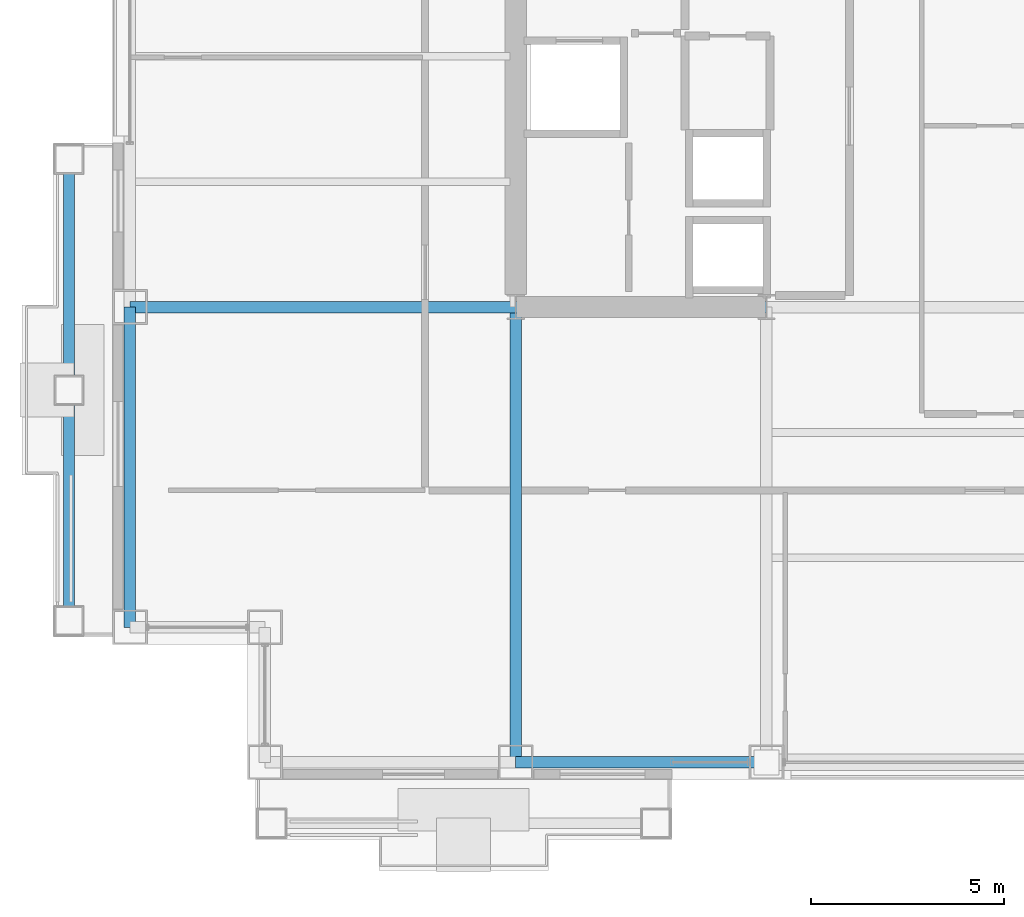
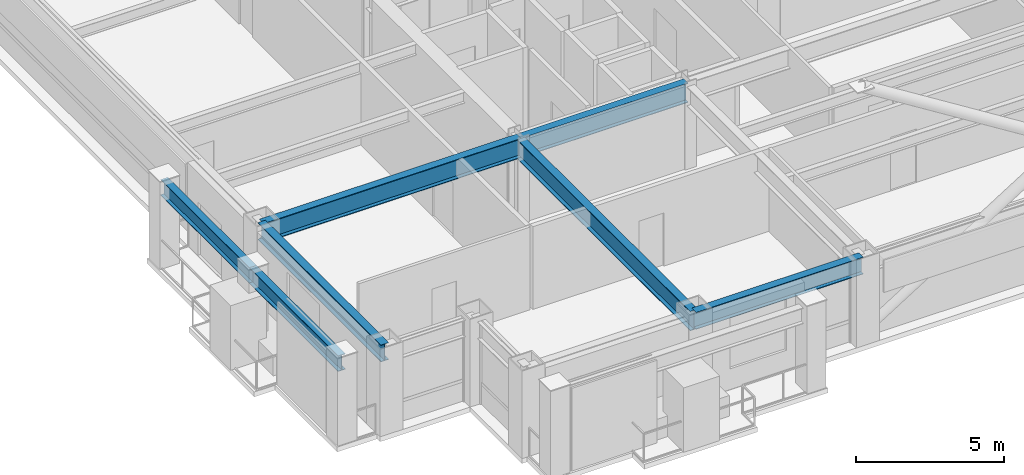
# One storey, part 3 of 30: 7 beams.
"""IFC4 building model written with IfcOpenShell, lengths in metres."""

from ifc_helpers import new_model, si_unit, direction, frame, origin, origin_2d, place, context, subcontext, project, spatial, i_section, extrude, material, material_profile, profile_set, type_object, element, save


model = new_model("IFC4")

# Units and contexts
model_context = context("Model", 3, precision=1e-05, world=origin(), true_north=direction((0.0, 1.0)))
body_context = subcontext(model_context, "Body", "Model", "MODEL_VIEW")
ifc_project = project(units=[si_unit("LENGTHUNIT", "METRE"), si_unit("AREAUNIT", "SQUARE_METRE"), si_unit("VOLUMEUNIT", "CUBIC_METRE"), si_unit("PLANEANGLEUNIT", "RADIAN"), si_unit("MASSUNIT", "GRAM", prefix="KILO")], contexts=[model_context])

# Site, building, storey
site_placement = place(None, origin())
site = spatial("IfcSite", under=ifc_project, at=site_placement, CompositionType="ELEMENT")
building_placement = place(site_placement, origin())
building = spatial("IfcBuilding", under=site, at=building_placement, Name="Brelmoor Portico Tower", CompositionType="ELEMENT")
storey_placement = place(building_placement, frame((0.0, 0.0, 56.39990234375)))
storey = spatial("IfcBuildingStorey", under=building, at=storey_placement, Name="L14", CompositionType="ELEMENT", Elevation=56.39990234375)

# Beams
ifc_material = material(Name="Steel Q355B", Category="steel")
ifc_material_profile_1 = material_profile(ifc_material, i_section(OverallWidth=0.300048828125, OverallDepth=0.800048828125, WebThickness=0.013916015625, FlangeThickness=0.02587890625, at=origin_2d()), Name="HN 800x300x14x26")
ifc_profile_set_1 = profile_set([ifc_material_profile_1], Name="Steel Q355B")
beam_type_1 = type_object("IfcBeamType", Name="BM-PG-800", PredefinedType="BEAM", material=ifc_profile_set_1)
beam_1_placement = place(storey_placement, frame((-14.550048828125, -21.550048828125, 3.0), z_axis=(0.0, 1.0, 0.0), x_axis=(-1.0, 0.0, 0.0)))
element("IfcBeam", 1, at=beam_1_placement, inside=storey, type_object=beam_type_1, Name="L14 Primary Floor Girder PG-03", PredefinedType="BEAM", context=body_context, shape_type="SweptSolid", body=[
    extrude(i_section(OverallWidth=0.300048828125, OverallDepth=0.800048828125, WebThickness=0.013916015625, FlangeThickness=0.02587890625, at=origin_2d()), origin(), (0.0, 0.0, 1.0), 11.800048828125),
])
beam_2_placement = place(storey_placement, frame((-24.550048828125, -9.75, 3.0), z_axis=(1.0, 0.0, 0.0), x_axis=(0.0, 1.0, 0.0)))
element("IfcBeam", 2, at=beam_2_placement, inside=storey, type_object=beam_type_1, Name="L14 Primary Floor Girder PG-19", PredefinedType="BEAM", context=body_context, shape_type="SweptSolid", body=[
    extrude(i_section(OverallWidth=0.300048828125, OverallDepth=0.800048828125, WebThickness=0.013916015625, FlangeThickness=0.02587890625, at=origin_2d()), origin(), (0.0, 0.0, 1.0), 10.0),
])
beam_3_placement = place(storey_placement, frame((-14.550048828125, -9.75, 3.0), z_axis=(1.0, 0.0, 0.0), x_axis=(0.0, 1.0, 0.0)))
element("IfcBeam", 3, at=beam_3_placement, inside=storey, type_object=beam_type_1, Name="L14 Primary Floor Girder PG-20", PredefinedType="BEAM", context=body_context, shape_type="SweptSolid", body=[
    extrude(i_section(OverallWidth=0.300048828125, OverallDepth=0.800048828125, WebThickness=0.013916015625, FlangeThickness=0.02587890625, at=origin_2d()), origin(), (0.0, 0.0, 1.0), 6.5),
])
ifc_material_profile_2 = material_profile(ifc_material, i_section(OverallWidth=0.280029296875, OverallDepth=0.64990234375, WebThickness=0.012939453125, FlangeThickness=0.02197265625, at=origin_2d()), Name="HN 650x280x13x22")
ifc_profile_set_2 = profile_set([ifc_material_profile_2], Name="Steel Q355B")
beam_type_2 = type_object("IfcBeamType", Name="BM-SP-650", PredefinedType="SPANDREL", material=ifc_profile_set_2)
for number, where, z_axis, x_axis, name in (
    (4, (-26.1298828125, -17.8798828125, 3.0751953125), (0.0, 1.0, 0.0), (-1.0, 0.0, 0.0), "L14 Picture-Frame Perimeter Lintel Beam W1"),
    (5, (-26.1298828125, -11.89990234375, 3.0751953125), (0.0, 1.0, 0.0), (-1.0, 0.0, 0.0), "L14 Picture-Frame Perimeter Lintel Beam W2"),
):
    element("IfcBeam", number, at=place(storey_placement, frame(where, z_axis=z_axis, x_axis=x_axis)), inside=storey, type_object=beam_type_2, Name=name, PredefinedType="SPANDREL", context=body_context, shape_type="SweptSolid", body=[
        extrude(i_section(OverallWidth=0.280029296875, OverallDepth=0.64990234375, WebThickness=0.012939453125, FlangeThickness=0.02197265625, at=origin_2d()), origin(), (0.0, 0.0, 1.0), 5.97998046875),
    ])
ifc_material_profile_3 = material_profile(ifc_material, i_section(OverallWidth=0.300048828125, OverallDepth=0.699951171875, WebThickness=0.012939453125, FlangeThickness=0.02392578125, at=origin_2d()), Name="HN 700x300x13x24")
ifc_profile_set_3 = profile_set([ifc_material_profile_3], Name="Steel Q355B")
beam_type_3 = type_object("IfcBeamType", Name="BM-SP-700", PredefinedType="SPANDREL", material=ifc_profile_set_3)
beam_4_placement = place(storey_placement, frame((-14.550048828125, -21.550048828125, 3.050048828125), z_axis=(1.0, 0.0, 0.0), x_axis=(0.0, 1.0, 0.0)))
element("IfcBeam", 6, at=beam_4_placement, inside=storey, type_object=beam_type_3, Name="L14 Perimeter Spandrel Beam SP-02", PredefinedType="SPANDREL", context=body_context, shape_type="SweptSolid", body=[
    extrude(i_section(OverallWidth=0.300048828125, OverallDepth=0.699951171875, WebThickness=0.012939453125, FlangeThickness=0.02392578125, at=origin_2d()), origin(), (0.0, 0.0, 1.0), 6.5),
])
beam_5_placement = place(storey_placement, frame((-24.550048828125, -18.050048828125, 3.050048828125), z_axis=(0.0, 1.0, 0.0), x_axis=(-1.0, 0.0, 0.0)))
element("IfcBeam", 7, at=beam_5_placement, inside=storey, type_object=beam_type_3, Name="L14 Perimeter Spandrel Beam SP-15", PredefinedType="SPANDREL", context=body_context, shape_type="SweptSolid", body=[
    extrude(i_section(OverallWidth=0.300048828125, OverallDepth=0.699951171875, WebThickness=0.012939453125, FlangeThickness=0.02392578125, at=origin_2d()), origin(), (0.0, 0.0, 1.0), 8.300048828125),
])

save(model, "model.ifc")
